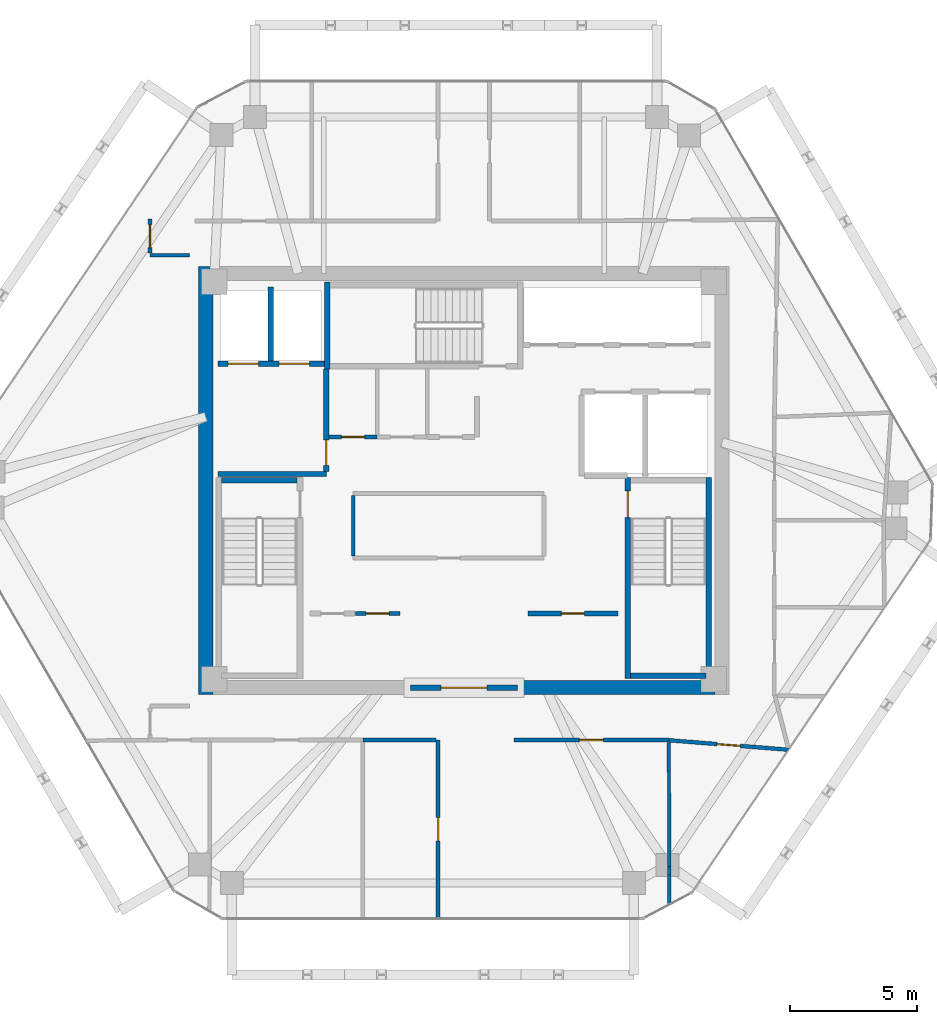
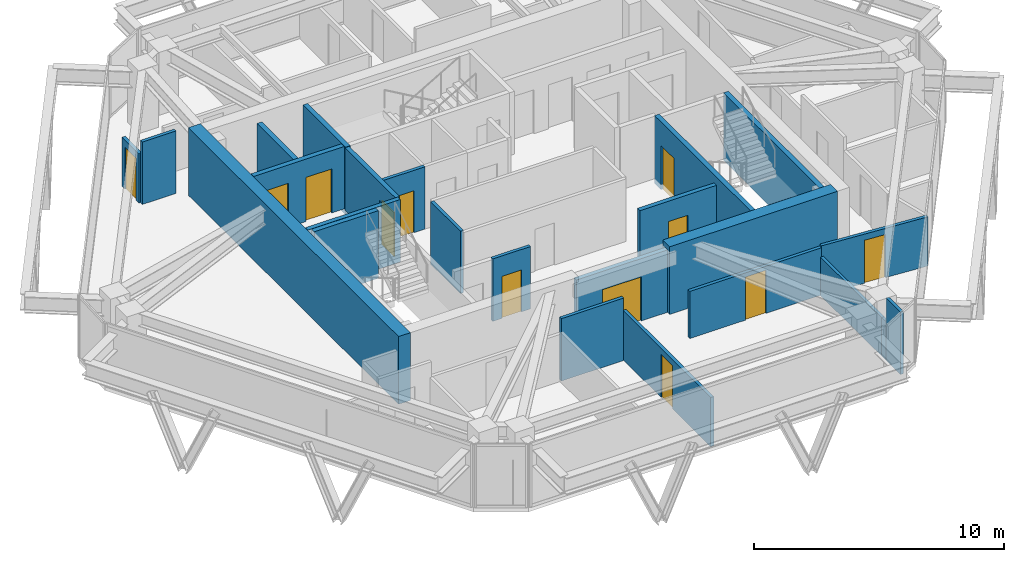
# One storey, part 8 of 11: 25 walls, 12 doors, 12 openings.
"""IFC4 building model written with IfcOpenShell, lengths in metres."""

from ifc_helpers import new_model, si_unit, direction, frame, frame_2d, origin, place, context, subcontext, project, spatial, rectangle, extrude, source, transform, mapped, material, layer, layer_set, type_object, type_shapes, element, fill, save


model = new_model("IFC4")

# Units and contexts
model_context = context("Model", 3, precision=1e-05, world=origin(), true_north=direction((0.0, 1.0)))
body_context = subcontext(model_context, "Body", "Model", "MODEL_VIEW")
ifc_project = project(units=[si_unit("LENGTHUNIT", "METRE"), si_unit("AREAUNIT", "SQUARE_METRE"), si_unit("VOLUMEUNIT", "CUBIC_METRE"), si_unit("PLANEANGLEUNIT", "RADIAN"), si_unit("MASSUNIT", "GRAM", prefix="KILO")], contexts=[model_context])

# Site, building, storey
site_placement = place(None, origin())
site = spatial("IfcSite", under=ifc_project, at=site_placement, CompositionType="ELEMENT")
building_placement = place(site_placement, origin())
building = spatial("IfcBuilding", under=site, at=building_placement, Name="Durnholm Broadcast Tower", CompositionType="ELEMENT")
storey_placement = place(building_placement, frame((0.0, 0.0, 231.5)))
storey = spatial("IfcBuildingStorey", under=building, at=storey_placement, Name="L64", CompositionType="ELEMENT", Elevation=231.5)

# Walls
ifc_material_1 = material(Name="Concrete C70/85", Category="concrete")
ifc_layer_1 = layer(ifc_material_1, 0.550048828125)
ifc_layer_set_1 = layer_set([ifc_layer_1], Name="Concrete C70/85")
wall_type_1 = type_object("IfcWallType", Name="WALL-CW-550", PredefinedType="SHEAR", material=ifc_layer_set_1)
wall_1_placement = place(storey_placement, frame((-10.125, -8.39990234375, 0.0), z_axis=(0.0, 0.0, 1.0), x_axis=(0.0, 1.0, 0.0)))
element("IfcWall", 1, at=wall_1_placement, inside=storey, type_object=wall_type_1, Name="L64 central core shear wall CW-WEST", PredefinedType="SHEAR", context=body_context, shape_type="SweptSolid", body=[
    extrude(rectangle(XDim=16.7998046875, YDim=0.550048828125, at=frame_2d((8.39990234375, 0.0))), origin(), (0.0, 0.0, 1.0), 3.300048828125),
])
wall_2_placement = place(storey_placement, frame((2.10009765625, -8.125, 0.0), z_axis=(0.0, 0.0, 1.0), x_axis=(1.0, 0.0, 0.0)))
element("IfcWall", 2, at=wall_2_placement, inside=storey, type_object=wall_type_1, Name="L64 central core shear wall CW-S2", PredefinedType="SHEAR", context=body_context, shape_type="SweptSolid", body=[
    extrude(rectangle(XDim=7.75, YDim=0.550048828125, at=frame_2d((3.875, 0.0))), origin(), (0.0, 0.0, 1.0), 3.300048828125),
])

# Wall, opening, door
ifc_material_2 = material(Name="Fire-Rated Gypsum Shaftwall", Category="concrete")
ifc_layer_2 = layer(ifc_material_2, 0.199951171875)
ifc_layer_set_2 = layer_set([ifc_layer_2], Name="Fire-Rated Gypsum Shaftwall")
wall_type_2 = type_object("IfcWallType", Name="WALL-LOB-200", PredefinedType="SOLIDWALL", material=ifc_layer_set_2)
wall_3_placement = place(storey_placement, frame((-2.10009765625, -8.125, 0.0), z_axis=(0.0, 0.0, 1.0), x_axis=(1.0, 0.0, 0.0)))
wall_3 = element("IfcWall", 3, at=wall_3_placement, inside=storey, type_object=wall_type_2, Name="L64 south core lobby fire screen", PredefinedType="SOLIDWALL", context=body_context, shape_type="SweptSolid", body=[
    extrude(rectangle(XDim=4.2001953125, YDim=0.199951171875, at=frame_2d((2.10009765625, 0.0))), origin(), (0.0, 0.0, 1.0), 3.044921875),
])
opening_1_placement = place(wall_3_placement, frame((1.199951171875, 0.0, 0.0)))
opening_1 = element("IfcOpeningElement", 4, at=opening_1_placement, cuts=wall_3, Name="Opening DP-60", PredefinedType="OPENING", context=body_context, shape_type="SweptSolid", body=[
    extrude(rectangle(XDim=1.800048828125, YDim=2.14990234375, at=frame_2d((0.89990234375, 1.074951171875))), frame((0.0, 0.10986328125, 0.0), z_axis=(0.0, -1.0, 0.0), x_axis=(1.0, 0.0, 0.0)), (0.0, 0.0, 1.0), 0.219970703125),
])
ifc_material_3 = material(Name="Fire-Rated Double Corridor Door", Category="steel")
ifc_layer_3 = layer(ifc_material_3, 0.050048828125)
ifc_layer_set_3 = layer_set([ifc_layer_3], Name="Fire-Rated Double Corridor Door")
door_type_1 = type_object("IfcDoorType", Name="DOOR-PAIR-FD60", OperationType="DOUBLE_DOOR_SINGLE_SWING", PredefinedType="DOOR", material=ifc_layer_set_3)
shared_shape_1 = source(origin(), body_context, "Body", "SweptSolid", [
    extrude(rectangle(XDim=1.800048828125, YDim=2.14990234375, at=frame_2d((0.89990234375, 1.074951171875))), frame((0.0, 0.02490234375, 0.0), z_axis=(0.0, -1.0, 0.0), x_axis=(1.0, 0.0, 0.0)), (0.0, 0.0, 1.0), 0.050048828125),
])
type_shapes(door_type_1, [shared_shape_1])
door_1_placement = place(opening_1_placement, origin())
door_1 = element("IfcDoor", 5, at=door_1_placement, inside=storey, type_object=door_type_1, Name="L64 south core lobby double fire door", OperationType="DOUBLE_DOOR_SINGLE_SWING", OverallHeight=2.14990234375, OverallWidth=1.800048828125, PredefinedType="DOOR", context=body_context, shape_type="MappedRepresentation", body=[
    mapped(shared_shape_1, transform((0.0, 0.0, 0.0), x_axis=(1.0, 0.0, 0.0), y_axis=(0.0, 1.0, 0.0), z_axis=(0.0, 0.0, 1.0), scale=1.0)),
])
fill(opening_1, door_1)

# Wall
wall_4_placement = place(storey_placement, frame((-9.64990234375, 0.25, 0.0), z_axis=(0.0, 0.0, 1.0), x_axis=(1.0, 0.0, 0.0)))
element("IfcWall", 6, at=wall_4_placement, inside=storey, type_object=wall_type_2, Name="L64 Fire Service Access Elevator lobby south wall", PredefinedType="SOLIDWALL", context=body_context, shape_type="SweptSolid", body=[
    extrude(rectangle(XDim=4.27001953125, YDim=0.199951171875, at=frame_2d((2.135009765625, 0.0))), origin(), (0.0, 0.0, 1.0), 3.044921875),
])

# Wall, opening, door
wall_5_placement = place(storey_placement, frame((-5.39990234375, 0.35400390625, 0.0), z_axis=(0.0, 0.0, 1.0), x_axis=(0.0, 1.0, 0.0)))
wall_5 = element("IfcWall", 7, at=wall_5_placement, inside=storey, type_object=wall_type_2, Name="L64 Fire Service Access Elevator lobby east fire wall", PredefinedType="SOLIDWALL", context=body_context, shape_type="SweptSolid", body=[
    extrude(rectangle(XDim=4.02587890625, YDim=0.199951171875, at=frame_2d((2.012939453125, 0.0))), origin(), (0.0, 0.0, 1.0), 3.044921875),
])
opening_2_placement = place(wall_5_placement, frame((0.24609375, 0.0, 0.0)))
opening_2 = element("IfcOpeningElement", 8, at=opening_2_placement, cuts=wall_5, Name="Opening DL-60L", PredefinedType="OPENING", context=body_context, shape_type="SweptSolid", body=[
    extrude(rectangle(XDim=1.0, YDim=2.14990234375, at=frame_2d((0.5, 1.074951171875))), frame((0.0, 0.10986328125, 0.0), z_axis=(0.0, -1.0, 0.0), x_axis=(1.0, 0.0, 0.0)), (0.0, 0.0, 1.0), 0.219970703125),
])
ifc_material_4 = material(Name="Fire-Rated Timber/Steel Door", Category="steel")
ifc_layer_4 = layer(ifc_material_4, 0.050048828125)
ifc_layer_set_4 = layer_set([ifc_layer_4], Name="Fire-Rated Timber/Steel Door")
door_type_2 = type_object("IfcDoorType", Name="DOOR-LOB-FD60-L", OperationType="NOTDEFINED", PredefinedType="DOOR", material=ifc_layer_set_4)
shared_shape_2 = source(origin(), body_context, "Body", "SweptSolid", [
    extrude(rectangle(XDim=1.0, YDim=2.14990234375, at=frame_2d((0.5, 1.074951171875))), frame((0.0, 0.02490234375, 0.0), z_axis=(0.0, -1.0, 0.0), x_axis=(1.0, 0.0, 0.0)), (0.0, 0.0, 1.0), 0.050048828125),
])
type_shapes(door_type_2, [shared_shape_2])
door_2_placement = place(opening_2_placement, origin())
door_2 = element("IfcDoor", 9, at=door_2_placement, inside=storey, type_object=door_type_2, Name="L64 Fire Service Access Elevator lobby smoke door", OperationType="SINGLE_SWING_LEFT", OverallHeight=2.14990234375, OverallWidth=1.0, PredefinedType="DOOR", context=body_context, shape_type="MappedRepresentation", body=[
    mapped(shared_shape_2, transform((0.0, 0.0, 0.0), x_axis=(1.0, 0.0, 0.0), y_axis=(0.0, 1.0, 0.0), z_axis=(0.0, 0.0, 1.0), scale=1.0)),
])
fill(opening_2, door_2)

wall_6_placement = place(storey_placement, frame((2.510009765625, -5.2099609375, 0.0), z_axis=(0.0, 0.0, 1.0), x_axis=(1.0, 0.0, 0.0)))
wall_6 = element("IfcWall", 10, at=wall_6_placement, inside=storey, type_object=wall_type_2, Name="L64 Telemetry Control Closet corridor partition", PredefinedType="SOLIDWALL", context=body_context, shape_type="SweptSolid", body=[
    extrude(rectangle(XDim=3.530029296875, YDim=0.199951171875, at=frame_2d((1.76513671875, 0.0))), origin(), (0.0, 0.0, 1.0), 3.044921875),
])
opening_3_placement = place(wall_6_placement, frame((1.31494140625, 0.0, 0.0)))
opening_3 = element("IfcOpeningElement", 11, at=opening_3_placement, cuts=wall_6, Name="Opening DC-60R", PredefinedType="OPENING", context=body_context, shape_type="SweptSolid", body=[
    extrude(rectangle(XDim=0.89990234375, YDim=2.050048828125, at=frame_2d((0.449951171875, 1.02490234375))), frame((0.0, 0.10986328125, 0.0), z_axis=(0.0, -1.0, 0.0), x_axis=(1.0, 0.0, 0.0)), (0.0, 0.0, 1.0), 0.219970703125),
])
ifc_material_5 = material(Name="Fire-Rated Core Service Door", Category="steel")
ifc_layer_5 = layer(ifc_material_5, 0.050048828125)
ifc_layer_set_5 = layer_set([ifc_layer_5], Name="Fire-Rated Core Service Door")
door_type_3 = type_object("IfcDoorType", Name="DOOR-CORE-FD60-R", OperationType="NOTDEFINED", PredefinedType="DOOR", material=ifc_layer_set_5)
shared_shape_3 = source(origin(), body_context, "Body", "SweptSolid", [
    extrude(rectangle(XDim=0.89990234375, YDim=2.050048828125, at=frame_2d((0.449951171875, 1.02490234375))), frame((0.0, 0.02490234375, 0.0), z_axis=(0.0, -1.0, 0.0), x_axis=(1.0, 0.0, 0.0)), (0.0, 0.0, 1.0), 0.050048828125),
])
type_shapes(door_type_3, [shared_shape_3])
door_3_placement = place(opening_3_placement, origin())
door_3 = element("IfcDoor", 12, at=door_3_placement, inside=storey, type_object=door_type_3, Name="L64 Telemetry Control Closet entrance door", OperationType="SINGLE_SWING_RIGHT", OverallHeight=2.050048828125, OverallWidth=0.89990234375, PredefinedType="DOOR", context=body_context, shape_type="MappedRepresentation", body=[
    mapped(shared_shape_3, transform((0.0, 0.0, 0.0), x_axis=(1.0, 0.0, 0.0), y_axis=(0.0, 1.0, 0.0), z_axis=(0.0, 0.0, 1.0), scale=1.0)),
])
fill(opening_3, door_3)

# Walls
ifc_material_6 = material(Name="Gypsum Metal Stud Partition", Category="concrete")
ifc_layer_6 = layer(ifc_material_6, 0.135009765625)
ifc_layer_set_6 = layer_set([ifc_layer_6], Name="Gypsum Metal Stud Partition")
wall_type_3 = type_object("IfcWallType", Name="WALL-PART-135", PredefinedType="PARTITIONING", material=ifc_layer_set_6)
wall_7_placement = place(storey_placement, frame((8.040283203125, -10.265625, 0.0), z_axis=(0.0, 0.0, 1.0), x_axis=(0.002906673097, -0.999995775617, 0.0)))
element("IfcWall", 13, at=wall_7_placement, inside=storey, type_object=wall_type_3, Name="L64 room dividing partition 18.19", PredefinedType="PARTITIONING", context=body_context, shape_type="SweptSolid", body=[
    extrude(rectangle(XDim=4.87158203125, YDim=0.135009765625, at=frame_2d((2.435791015625, 0.0))), origin(), (0.0, 0.0, 1.0), 1.876953125),
])
wall_8_placement = place(storey_placement, frame((8.055419921875, -15.477783203125, 0.0), z_axis=(0.0, 0.0, 1.0), x_axis=(0.002965460378, -0.999995603013, 0.0)))
element("IfcWall", 14, at=wall_8_placement, inside=storey, type_object=wall_type_3, Name="L64 room dividing partition 18.19", PredefinedType="PARTITIONING", context=body_context, shape_type="SweptSolid", body=[
    extrude(rectangle(XDim=1.152587890625, YDim=0.135009765625, at=frame_2d((0.576171875, 0.0))), origin(), (0.0, 0.0, 1.0), 3.044921875),
])
wall_9_placement = place(storey_placement, frame((8.054443359375, -15.13720703125, 0.0), z_axis=(0.0, 0.0, 1.0), x_axis=(0.002867371725, -0.999995889081, 0.0)))
element("IfcWall", 15, at=wall_9_placement, inside=storey, type_object=wall_type_3, Name="L64 room dividing partition 18.19", PredefinedType="PARTITIONING", context=body_context, shape_type="SweptSolid", body=[
    extrude(rectangle(XDim=0.340576171875, YDim=0.135009765625, at=frame_2d((0.17041015625, 0.0))), origin(), (0.0, 0.0, 1.0), 1.876953125),
])

# Wall, opening, door
ifc_material_7 = material(Name="Acoustic Gypsum Stud Partition", Category="concrete")
ifc_layer_7 = layer(ifc_material_7, 0.14990234375)
ifc_layer_set_7 = layer_set([ifc_layer_7], Name="Acoustic Gypsum Stud Partition")
wall_type_4 = type_object("IfcWallType", Name="WALL-PART-150", PredefinedType="PARTITIONING", material=ifc_layer_set_7)
wall_10_placement = place(storey_placement, frame((-4.260009765625, -5.2099609375, 0.0), z_axis=(0.0, 0.0, 1.0), x_axis=(1.0, 0.0, 0.0)))
wall_10 = element("IfcWall", 16, at=wall_10_placement, inside=storey, type_object=wall_type_4, Name="L64 Copy and Print Room corridor partition", PredefinedType="PARTITIONING", context=body_context, shape_type="SweptSolid", body=[
    extrude(rectangle(XDim=1.75, YDim=0.14990234375, at=frame_2d((0.875, 0.0))), origin(), (0.0, 0.0, 1.0), 3.044921875),
])
opening_4_placement = place(wall_10_placement, frame((0.425048828125, 0.0, 0.0)))
opening_4 = element("IfcOpeningElement", 17, at=opening_4_placement, cuts=wall_10, Name="Opening DC-60L", PredefinedType="OPENING", context=body_context, shape_type="SweptSolid", body=[
    extrude(rectangle(XDim=0.89990234375, YDim=2.050048828125, at=frame_2d((0.449951171875, 1.02490234375))), frame((0.0, 0.0849609375, 0.0), z_axis=(0.0, -1.0, 0.0), x_axis=(1.0, 0.0, 0.0)), (0.0, 0.0, 1.0), 0.169921875),
])
ifc_layer_8 = layer(ifc_material_5, 0.050048828125)
ifc_layer_set_8 = layer_set([ifc_layer_8], Name="Fire-Rated Core Service Door")
door_type_4 = type_object("IfcDoorType", Name="DOOR-CORE-FD60-L", OperationType="NOTDEFINED", PredefinedType="DOOR", material=ifc_layer_set_8)
shared_shape_4 = source(origin(), body_context, "Body", "SweptSolid", [
    extrude(rectangle(XDim=0.89990234375, YDim=2.050048828125, at=frame_2d((0.449951171875, 1.02490234375))), frame((0.0, 0.02490234375, 0.0), z_axis=(0.0, -1.0, 0.0), x_axis=(1.0, 0.0, 0.0)), (0.0, 0.0, 1.0), 0.050048828125),
])
type_shapes(door_type_4, [shared_shape_4])
door_4_placement = place(opening_4_placement, origin())
door_4 = element("IfcDoor", 18, at=door_4_placement, inside=storey, type_object=door_type_4, Name="L64 Copy and Print Room entrance door", OperationType="SINGLE_SWING_LEFT", OverallHeight=2.050048828125, OverallWidth=0.89990234375, PredefinedType="DOOR", context=body_context, shape_type="MappedRepresentation", body=[
    mapped(shared_shape_4, transform((0.0, 0.0, 0.0), x_axis=(1.0, 0.0, 0.0), y_axis=(0.0, 1.0, 0.0), z_axis=(0.0, 0.0, 1.0), scale=1.0)),
])
fill(opening_4, door_4)

# Wall
wall_11_placement = place(storey_placement, frame((-4.340087890625, -2.9609375, 0.0), z_axis=(0.0, 0.0, 1.0), x_axis=(0.0, 1.0, 0.0)))
element("IfcWall", 19, at=wall_11_placement, inside=storey, type_object=wall_type_4, Name="L64 Broadcast Equipment Pantry corridor partition", PredefinedType="PARTITIONING", context=body_context, shape_type="SweptSolid", body=[
    extrude(rectangle(XDim=2.371826171875, YDim=0.14990234375, at=frame_2d((1.18603515625, 0.0))), origin(), (0.0, 0.0, 1.0), 3.044921875),
])

# Wall, opening, door
wall_12_placement = place(storey_placement, frame((-3.39990234375, 1.7099609375, 0.0), z_axis=(0.0, 0.0, 1.0), x_axis=(-1.0, 0.0, 0.0)))
wall_12 = element("IfcWall", 20, at=wall_12_placement, inside=storey, type_object=wall_type_4, Name="L64 Core Copy and Print Closet corridor partition", PredefinedType="PARTITIONING", context=body_context, shape_type="SweptSolid", body=[
    extrude(rectangle(XDim=1.89599609375, YDim=0.14990234375, at=frame_2d((0.947998046875, 0.0))), origin(), (0.0, 0.0, 1.0), 3.044921875),
])
opening_5_placement = place(wall_12_placement, frame((0.498046875, 0.0, 0.0)))
opening_5 = element("IfcOpeningElement", 21, at=opening_5_placement, cuts=wall_12, Name="Opening DC-60R", PredefinedType="OPENING", context=body_context, shape_type="SweptSolid", body=[
    extrude(rectangle(XDim=0.89990234375, YDim=2.050048828125, at=frame_2d((0.449951171875, 1.02490234375))), frame((0.0, 0.0849609375, 0.0), z_axis=(0.0, -1.0, 0.0), x_axis=(1.0, 0.0, 0.0)), (0.0, 0.0, 1.0), 0.169921875),
])
door_5_placement = place(opening_5_placement, origin())
door_5 = element("IfcDoor", 22, at=door_5_placement, inside=storey, type_object=door_type_3, Name="L64 Core Copy and Print Closet entrance door", OperationType="SINGLE_SWING_RIGHT", OverallHeight=2.050048828125, OverallWidth=0.89990234375, PredefinedType="DOOR", context=body_context, shape_type="MappedRepresentation", body=[
    mapped(shared_shape_3, transform((0.0, 0.0, 0.0), x_axis=(1.0, 0.0, 0.0), y_axis=(0.0, 1.0, 0.0), z_axis=(0.0, 0.0, 1.0), scale=1.0)),
])
fill(opening_5, door_5)

wall_13_placement = place(storey_placement, frame((-1.010009765625, -10.179931640625, 0.0), z_axis=(0.0, 0.0, 1.0), x_axis=(0.0, -1.0, 0.0)))
wall_13 = element("IfcWall", 23, at=wall_13_placement, inside=storey, type_object=wall_type_4, Name="L64 Executive Meeting Room corridor partition", PredefinedType="PARTITIONING", context=body_context, shape_type="SweptSolid", body=[
    extrude(rectangle(XDim=7.006103515625, YDim=0.14990234375, at=frame_2d((3.5029296875, 0.0))), origin(), (0.0, 0.0, 1.0), 2.398681640625),
])
opening_6_placement = place(wall_13_placement, frame((3.04296875, 0.0, 0.0)))
opening_6 = element("IfcOpeningElement", 24, at=opening_6_placement, cuts=wall_13, Name="Opening DR-92R", PredefinedType="OPENING", context=body_context, shape_type="SweptSolid", body=[
    extrude(rectangle(XDim=0.919921875, YDim=2.10009765625, at=frame_2d((0.4599609375, 1.050048828125))), frame((0.0, 0.0849609375, 0.0), z_axis=(0.0, -1.0, 0.0), x_axis=(1.0, 0.0, 0.0)), (0.0, 0.0, 1.0), 0.169921875),
])
ifc_material_8 = material(Name="Oak Veneer Office Door", Category="wood")
ifc_layer_9 = layer(ifc_material_8, 0.050048828125)
ifc_layer_set_9 = layer_set([ifc_layer_9], Name="Oak Veneer Office Door")
door_type_5 = type_object("IfcDoorType", Name="DOOR-RM-920R", OperationType="NOTDEFINED", PredefinedType="DOOR", material=ifc_layer_set_9)
shared_shape_5 = source(origin(), body_context, "Body", "SweptSolid", [
    extrude(rectangle(XDim=0.919921875, YDim=2.10009765625, at=frame_2d((0.4599609375, 1.050048828125))), frame((0.0, 0.02490234375, 0.0), z_axis=(0.0, -1.0, 0.0), x_axis=(1.0, 0.0, 0.0)), (0.0, 0.0, 1.0), 0.050048828125),
])
type_shapes(door_type_5, [shared_shape_5])
door_6_placement = place(opening_6_placement, origin())
door_6 = element("IfcDoor", 25, at=door_6_placement, inside=storey, type_object=door_type_5, Name="L64 Executive Meeting Room entrance door", OperationType="SINGLE_SWING_RIGHT", OverallHeight=2.10009765625, OverallWidth=0.919921875, PredefinedType="DOOR", context=body_context, shape_type="MappedRepresentation", body=[
    mapped(shared_shape_5, transform((0.0, 0.0, 0.0), x_axis=(1.0, 0.0, 0.0), y_axis=(0.0, 1.0, 0.0), z_axis=(0.0, 0.0, 1.0), scale=1.0)),
])
fill(opening_6, door_6)

# Wall
wall_14_placement = place(storey_placement, frame((-3.9599609375, -10.179931640625, 0.0), z_axis=(0.0, 0.0, 1.0), x_axis=(1.0, 0.0, 0.0)))
element("IfcWall", 26, at=wall_14_placement, inside=storey, type_object=wall_type_4, Name="L64 Executive Meeting Room corridor partition", PredefinedType="PARTITIONING", context=body_context, shape_type="SweptSolid", body=[
    extrude(rectangle(XDim=2.870849609375, YDim=0.14990234375, at=frame_2d((1.435546875, 0.0))), origin(), (0.0, 0.0, 1.0), 3.044921875),
])

# Wall, opening, door
wall_15_placement = place(storey_placement, frame((1.9599609375, -10.179931640625, 0.0), z_axis=(0.0, 0.0, 1.0), x_axis=(1.0, 0.0, 0.0)))
wall_15 = element("IfcWall", 27, at=wall_15_placement, inside=storey, type_object=wall_type_4, Name="L64 Briefing Office corridor partition", PredefinedType="PARTITIONING", context=body_context, shape_type="SweptSolid", body=[
    extrude(rectangle(XDim=6.080078125, YDim=0.14990234375, at=frame_2d((3.0400390625, 0.0))), origin(), (0.0, 0.0, 1.0), 2.30126953125),
])
opening_7_placement = place(wall_15_placement, frame((2.56494140625, 0.0, 0.0)))
opening_7 = element("IfcOpeningElement", 28, at=opening_7_placement, cuts=wall_15, Name="Opening DR-95L", PredefinedType="OPENING", context=body_context, shape_type="SweptSolid", body=[
    extrude(rectangle(XDim=0.949951171875, YDim=2.10009765625, at=frame_2d((0.47509765625, 1.050048828125))), frame((0.0, 0.0849609375, 0.0), z_axis=(0.0, -1.0, 0.0), x_axis=(1.0, 0.0, 0.0)), (0.0, 0.0, 1.0), 0.169921875),
])
ifc_material_9 = material(Name="Acoustic Oak Veneer Timber Door", Category="wood")
ifc_layer_10 = layer(ifc_material_9, 0.050048828125)
ifc_layer_set_10 = layer_set([ifc_layer_10], Name="Acoustic Oak Veneer Timber Door")
door_type_6 = type_object("IfcDoorType", Name="DOOR-RM-950L", OperationType="NOTDEFINED", PredefinedType="DOOR", material=ifc_layer_set_10)
shared_shape_6 = source(origin(), body_context, "Body", "SweptSolid", [
    extrude(rectangle(XDim=0.949951171875, YDim=2.10009765625, at=frame_2d((0.47509765625, 1.050048828125))), frame((0.0, 0.02490234375, 0.0), z_axis=(0.0, -1.0, 0.0), x_axis=(1.0, 0.0, 0.0)), (0.0, 0.0, 1.0), 0.050048828125),
])
type_shapes(door_type_6, [shared_shape_6])
door_7_placement = place(opening_7_placement, origin())
door_7 = element("IfcDoor", 29, at=door_7_placement, inside=storey, type_object=door_type_6, Name="L64 Briefing Office entrance door", OperationType="SINGLE_SWING_LEFT", OverallHeight=2.10009765625, OverallWidth=0.949951171875, PredefinedType="DOOR", context=body_context, shape_type="MappedRepresentation", body=[
    mapped(shared_shape_6, transform((0.0, 0.0, 0.0), x_axis=(1.0, 0.0, 0.0), y_axis=(0.0, 1.0, 0.0), z_axis=(0.0, 0.0, 1.0), scale=1.0)),
])
fill(opening_7, door_7)

wall_16_placement = place(storey_placement, frame((8.0400390625, -10.186279296875, 0.0), z_axis=(0.0, 0.0, 1.0), x_axis=(0.996887981077, -0.078831168868, 0.0)))
wall_16 = element("IfcWall", 30, at=wall_16_placement, inside=storey, type_object=wall_type_4, Name="L64 Broadcast Library Lounge corridor partition", PredefinedType="PARTITIONING", context=body_context, shape_type="SweptSolid", body=[
    extrude(rectangle(XDim=4.713623046875, YDim=0.14990234375, at=frame_2d((2.35693359375, 0.0))), origin(), (0.0, 0.0, 1.0), 2.398681640625),
])
opening_8_placement = place(wall_16_placement, frame((1.896728515625, 0.0, 0.0)))
opening_8 = element("IfcOpeningElement", 31, at=opening_8_placement, cuts=wall_16, Name="Opening DR-92R", PredefinedType="OPENING", context=body_context, shape_type="SweptSolid", body=[
    extrude(rectangle(XDim=0.919921875, YDim=2.10009765625, at=frame_2d((0.4599609375, 1.050048828125))), frame((0.0, 0.0849609375, 0.0), z_axis=(0.0, -1.0, 0.0), x_axis=(1.0, 0.0, 0.0)), (0.0, 0.0, 1.0), 0.169921875),
])
door_8_placement = place(opening_8_placement, origin())
door_8 = element("IfcDoor", 32, at=door_8_placement, inside=storey, type_object=door_type_5, Name="L64 Broadcast Library Lounge entrance door", OperationType="SINGLE_SWING_RIGHT", OverallHeight=2.10009765625, OverallWidth=0.919921875, PredefinedType="DOOR", context=body_context, shape_type="MappedRepresentation", body=[
    mapped(shared_shape_5, transform((0.0, 0.0, 0.0), x_axis=(1.0, 0.0, 0.0), y_axis=(0.0, 1.0, 0.0), z_axis=(0.0, 0.0, 1.0), scale=1.0)),
])
fill(opening_8, door_8)

# Wall
wall_17_placement = place(storey_placement, frame((-12.31005859375, 8.840087890625, 0.0), z_axis=(0.0, 0.0, 1.0), x_axis=(1.0, 0.0, 0.0)))
element("IfcWall", 33, at=wall_17_placement, inside=storey, type_object=wall_type_4, Name="L64 VP Sports Office corridor partition", PredefinedType="PARTITIONING", context=body_context, shape_type="SweptSolid", body=[
    extrude(rectangle(XDim=1.550048828125, YDim=0.14990234375, at=frame_2d((0.77490234375, 0.0))), origin(), (0.0, 0.0, 1.0), 3.044921875),
])

# Wall, opening, door
wall_18_placement = place(storey_placement, frame((-12.31005859375, 10.260009765625, 0.0), z_axis=(0.0, 0.0, 1.0), x_axis=(0.0, -1.0, 0.0)))
wall_18 = element("IfcWall", 34, at=wall_18_placement, inside=storey, type_object=wall_type_4, Name="L64 VP Sports Office corridor partition", PredefinedType="PARTITIONING", context=body_context, shape_type="SweptSolid", body=[
    extrude(rectangle(XDim=1.341064453125, YDim=0.14990234375, at=frame_2d((0.67041015625, 0.0))), origin(), (0.0, 0.0, 1.0), 2.398681640625),
])
opening_9_placement = place(wall_18_placement, frame((0.220458984375, 0.0, 0.0)))
opening_9 = element("IfcOpeningElement", 35, at=opening_9_placement, cuts=wall_18, Name="Opening DW-90R", PredefinedType="OPENING", context=body_context, shape_type="SweptSolid", body=[
    extrude(rectangle(XDim=0.89990234375, YDim=2.050048828125, at=frame_2d((0.449951171875, 1.02490234375))), frame((0.0, 0.0849609375, 0.0), z_axis=(0.0, -1.0, 0.0), x_axis=(1.0, 0.0, 0.0)), (0.0, 0.0, 1.0), 0.169921875),
])
ifc_material_10 = material(Name="Laminate Restroom Door", Category="steel")
ifc_layer_11 = layer(ifc_material_10, 0.050048828125)
ifc_layer_set_11 = layer_set([ifc_layer_11], Name="Laminate Restroom Door")
door_type_7 = type_object("IfcDoorType", Name="DOOR-WC-900R", OperationType="NOTDEFINED", PredefinedType="DOOR", material=ifc_layer_set_11)
shared_shape_7 = source(origin(), body_context, "Body", "SweptSolid", [
    extrude(rectangle(XDim=0.89990234375, YDim=2.050048828125, at=frame_2d((0.449951171875, 1.02490234375))), frame((0.0, 0.02490234375, 0.0), z_axis=(0.0, -1.0, 0.0), x_axis=(1.0, 0.0, 0.0)), (0.0, 0.0, 1.0), 0.050048828125),
])
type_shapes(door_type_7, [shared_shape_7])
door_9_placement = place(opening_9_placement, origin())
door_9 = element("IfcDoor", 36, at=door_9_placement, inside=storey, type_object=door_type_7, Name="L64 VP Sports Office entrance door", OperationType="SINGLE_SWING_RIGHT", OverallHeight=2.050048828125, OverallWidth=0.89990234375, PredefinedType="DOOR", context=body_context, shape_type="MappedRepresentation", body=[
    mapped(shared_shape_7, transform((0.0, 0.0, 0.0), x_axis=(1.0, 0.0, 0.0), y_axis=(0.0, 1.0, 0.0), z_axis=(0.0, 0.0, 1.0), scale=1.0)),
])
fill(opening_9, door_9)

# Wall, openings, doors
ifc_material_11 = material(Name="Concrete Blockwork C30/37", Category="masonry")
ifc_layer_12 = layer(ifc_material_11, 0.219970703125)
ifc_layer_set_12 = layer_set([ifc_layer_12], Name="Concrete Blockwork C30/37")
wall_type_5 = type_object("IfcWallType", Name="WALL-SHAFT-220", PredefinedType="SOLIDWALL", material=ifc_layer_set_12)
wall_19_placement = place(storey_placement, frame((-9.64990234375, 4.580078125, 0.0), z_axis=(0.0, 0.0, 1.0), x_axis=(1.0, 0.0, 0.0)))
wall_19 = element("IfcWall", 37, at=wall_19_placement, inside=storey, type_object=wall_type_5, Name="L64 FSAE hoistway front fire wall", PredefinedType="SOLIDWALL", context=body_context, shape_type="SweptSolid", body=[
    extrude(rectangle(XDim=4.1748046875, YDim=0.219970703125, at=frame_2d((2.08740234375, 0.0))), origin(), (0.0, 0.0, 1.0), 3.044921875),
])
opening_10_placement = place(wall_19_placement, frame((0.39990234375, 0.0, 0.0)))
opening_10 = element("IfcOpeningElement", 38, at=opening_10_placement, cuts=wall_19, Name="Opening LD-FSAE-2", PredefinedType="OPENING", context=body_context, shape_type="SweptSolid", body=[
    extrude(rectangle(XDim=1.199951171875, YDim=2.14990234375, at=frame_2d((0.60009765625, 1.074951171875))), frame((0.0, 0.1201171875, 0.0), z_axis=(0.0, -1.0, 0.0), x_axis=(1.0, 0.0, 0.0)), (0.0, 0.0, 1.0), 0.239990234375),
])
opening_11_placement = place(wall_19_placement, frame((2.39990234375, 0.0, 0.0)))
opening_11 = element("IfcOpeningElement", 39, at=opening_11_placement, cuts=wall_19, Name="Opening LD-FSAE-1", PredefinedType="OPENING", context=body_context, shape_type="SweptSolid", body=[
    extrude(rectangle(XDim=1.199951171875, YDim=2.14990234375, at=frame_2d((0.60009765625, 1.074951171875))), frame((0.0, 0.1201171875, 0.0), z_axis=(0.0, -1.0, 0.0), x_axis=(1.0, 0.0, 0.0)), (0.0, 0.0, 1.0), 0.239990234375),
])
ifc_material_12 = material(Name="Fire Service Access Sliding Landing Door", Category="steel")
ifc_layer_13 = layer(ifc_material_12, 0.050048828125)
ifc_layer_set_13 = layer_set([ifc_layer_13], Name="Fire Service Access Sliding Landing Door")
door_type_8 = type_object("IfcDoorType", Name="DOOR-LIFT-FSAE", OperationType="DOUBLE_DOOR_SLIDING", PredefinedType="DOOR", material=ifc_layer_set_13)
shared_shape_8 = source(origin(), body_context, "Body", "SweptSolid", [
    extrude(rectangle(XDim=1.199951171875, YDim=2.14990234375, at=frame_2d((0.60009765625, 1.074951171875))), frame((0.0, 0.02490234375, 0.0), z_axis=(0.0, -1.0, 0.0), x_axis=(1.0, 0.0, 0.0)), (0.0, 0.0, 1.0), 0.050048828125),
])
type_shapes(door_type_8, [shared_shape_8])
door_10_placement = place(opening_10_placement, origin())
door_10 = element("IfcDoor", 40, at=door_10_placement, inside=storey, type_object=door_type_8, Name="L64 Fire Service Access Elevator FSAE-2 sliding landing door", OperationType="DOUBLE_DOOR_SLIDING", OverallHeight=2.14990234375, OverallWidth=1.199951171875, PredefinedType="DOOR", context=body_context, shape_type="MappedRepresentation", body=[
    mapped(shared_shape_8, transform((0.0, 0.0, 0.0), x_axis=(1.0, 0.0, 0.0), y_axis=(0.0, 1.0, 0.0), z_axis=(0.0, 0.0, 1.0), scale=1.0)),
])
fill(opening_10, door_10)
door_11_placement = place(opening_11_placement, origin())
door_11 = element("IfcDoor", 41, at=door_11_placement, inside=storey, type_object=door_type_8, Name="L64 Fire Service Access Elevator FSAE-1 sliding landing door", OperationType="DOUBLE_DOOR_SLIDING", OverallHeight=2.14990234375, OverallWidth=1.199951171875, PredefinedType="DOOR", context=body_context, shape_type="MappedRepresentation", body=[
    mapped(shared_shape_8, transform((0.0, 0.0, 0.0), x_axis=(1.0, 0.0, 0.0), y_axis=(0.0, 1.0, 0.0), z_axis=(0.0, 0.0, 1.0), scale=1.0)),
])
fill(opening_11, door_11)

# Walls
wall_20_placement = place(storey_placement, frame((-7.580078125, 4.694091796875, 0.0), z_axis=(0.0, 0.0, 1.0), x_axis=(0.0, 1.0, 0.0)))
element("IfcWall", 42, at=wall_20_placement, inside=storey, type_object=wall_type_5, Name="L64 FSAE shaft divider wall", PredefinedType="SOLIDWALL", context=body_context, shape_type="SweptSolid", body=[
    extrude(rectangle(XDim=2.906005859375, YDim=0.219970703125, at=frame_2d((1.453125, 0.0))), origin(), (0.0, 0.0, 1.0), 3.044921875),
])
ifc_material_13 = material(Name="Concrete C50/60", Category="concrete")
ifc_layer_14 = layer(ifc_material_13, 0.219970703125)
ifc_layer_set_14 = layer_set([ifc_layer_14], Name="Concrete C50/60")
wall_type_6 = type_object("IfcWallType", Name="WALL-SW-220", PredefinedType="SHEAR", material=ifc_layer_set_14)
wall_21_placement = place(storey_placement, frame((-6.5400390625, 0.010009765625, -0.239990234375), z_axis=(0.0, 0.0, 1.0), x_axis=(-1.0, 0.0, 0.0)))
element("IfcWall", 43, at=wall_21_placement, inside=storey, type_object=wall_type_6, Name="L64 stair ST-1 structural shaft wall N", PredefinedType="SHEAR", context=body_context, shape_type="SweptSolid", body=[
    extrude(rectangle(XDim=2.9599609375, YDim=0.219970703125, at=frame_2d((1.47998046875, 0.0))), origin(), (0.0, 0.0, 1.0), 3.300048828125),
])
wall_22_placement = place(storey_placement, frame((9.610107421875, -7.77001953125, -0.239990234375), z_axis=(0.0, 0.0, 1.0), x_axis=(0.0, 1.0, 0.0)))
element("IfcWall", 44, at=wall_22_placement, inside=storey, type_object=wall_type_6, Name="L64 stair ST-2 structural shaft wall E", PredefinedType="SHEAR", context=body_context, shape_type="SweptSolid", body=[
    extrude(rectangle(XDim=7.89013671875, YDim=0.219970703125, at=frame_2d((3.945068359375, 0.0))), origin(), (0.0, 0.0, 1.0), 3.300048828125),
])

# Wall, opening, door
wall_23_placement = place(storey_placement, frame((6.429931640625, 0.1201171875, -0.239990234375), z_axis=(0.0, 0.0, 1.0), x_axis=(0.0, -1.0, 0.0)))
wall_23 = element("IfcWall", 45, at=wall_23_placement, inside=storey, type_object=wall_type_6, Name="L64 stair ST-2 structural shaft wall W", PredefinedType="SHEAR", context=body_context, shape_type="SweptSolid", body=[
    extrude(rectangle(XDim=7.89013671875, YDim=0.219970703125, at=frame_2d((3.945068359375, 0.0))), origin(), (0.0, 0.0, 1.0), 3.300048828125),
])
opening_12_placement = place(wall_23_placement, frame((0.52001953125, 0.0, 0.0)))
opening_12 = element("IfcOpeningElement", 46, at=opening_12_placement, cuts=wall_23, Name="Opening DS-90R", PredefinedType="OPENING", context=body_context, shape_type="SweptSolid", body=[
    extrude(rectangle(XDim=1.050048828125, YDim=2.14990234375, at=frame_2d((0.52490234375, 1.074951171875))), frame((0.0, 0.1201171875, 0.0), z_axis=(0.0, -1.0, 0.0), x_axis=(1.0, 0.0, 0.0)), (0.0, 0.0, 1.0), 0.239990234375),
])
ifc_material_14 = material(Name="Fire-Rated Steel Door", Category="steel")
ifc_layer_15 = layer(ifc_material_14, 0.050048828125)
ifc_layer_set_15 = layer_set([ifc_layer_15], Name="Fire-Rated Steel Door")
door_type_9 = type_object("IfcDoorType", Name="DOOR-ST-FD90-R", OperationType="NOTDEFINED", PredefinedType="DOOR", material=ifc_layer_set_15)
shared_shape_9 = source(origin(), body_context, "Body", "SweptSolid", [
    extrude(rectangle(XDim=1.050048828125, YDim=2.14990234375, at=frame_2d((0.52490234375, 1.074951171875))), frame((0.0, 0.02490234375, 0.0), z_axis=(0.0, -1.0, 0.0), x_axis=(1.0, 0.0, 0.0)), (0.0, 0.0, 1.0), 0.050048828125),
])
type_shapes(door_type_9, [shared_shape_9])
door_12_placement = place(opening_12_placement, origin())
door_12 = element("IfcDoor", 47, at=door_12_placement, inside=storey, type_object=door_type_9, Name="L64 exit stair ST-2 fire door", OperationType="SINGLE_SWING_RIGHT", OverallHeight=2.14990234375, OverallWidth=1.050048828125, PredefinedType="DOOR", context=body_context, shape_type="MappedRepresentation", body=[
    mapped(shared_shape_9, transform((0.0, 0.0, 0.0), x_axis=(1.0, 0.0, 0.0), y_axis=(0.0, 1.0, 0.0), z_axis=(0.0, 0.0, 1.0), scale=1.0)),
])
fill(opening_12, door_12)

# Walls
wall_24_placement = place(storey_placement, frame((6.5400390625, -7.659912109375, -0.239990234375), z_axis=(0.0, 0.0, 1.0), x_axis=(1.0, 0.0, 0.0)))
element("IfcWall", 48, at=wall_24_placement, inside=storey, type_object=wall_type_6, Name="L64 stair ST-2 structural shaft wall S", PredefinedType="SHEAR", context=body_context, shape_type="SweptSolid", body=[
    extrude(rectangle(XDim=2.9599609375, YDim=0.219970703125, at=frame_2d((1.47998046875, 0.0))), origin(), (0.0, 0.0, 1.0), 3.300048828125),
])
wall_25_placement = place(storey_placement, frame((-5.360107421875, 7.780029296875, -0.239990234375), z_axis=(0.0, 0.0, 1.0), x_axis=(0.0, -1.0, 0.0)))
element("IfcWall", 49, at=wall_25_placement, inside=storey, type_object=wall_type_6, Name="L64 stair ST-3 structural shaft wall W", PredefinedType="SHEAR", context=body_context, shape_type="SweptSolid", body=[
    extrude(rectangle(XDim=3.400146484375, YDim=0.219970703125, at=frame_2d((1.7001953125, 0.0))), origin(), (0.0, 0.0, 1.0), 3.300048828125),
])

save(model, "model.ifc")
